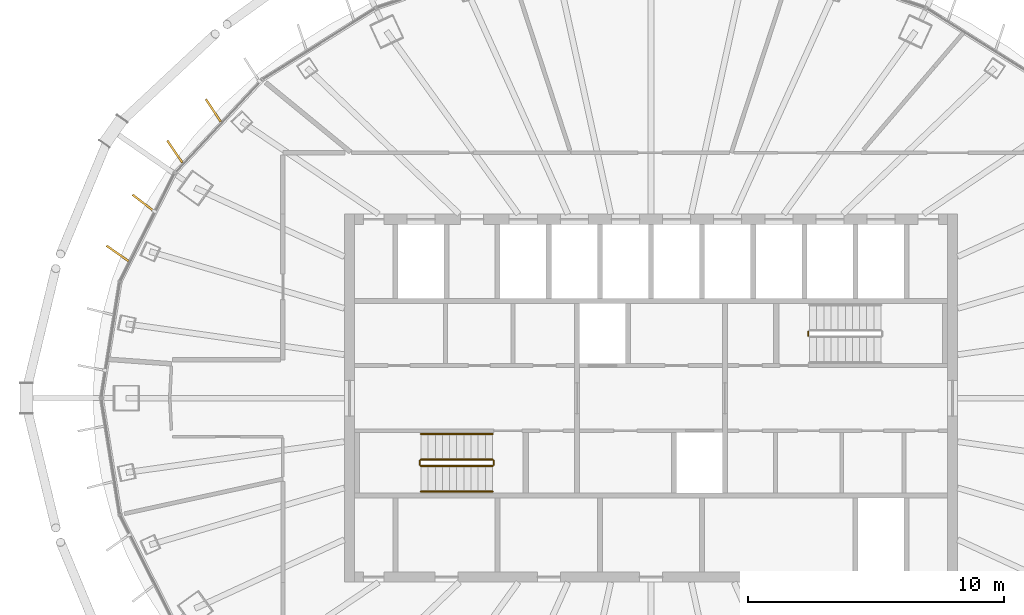
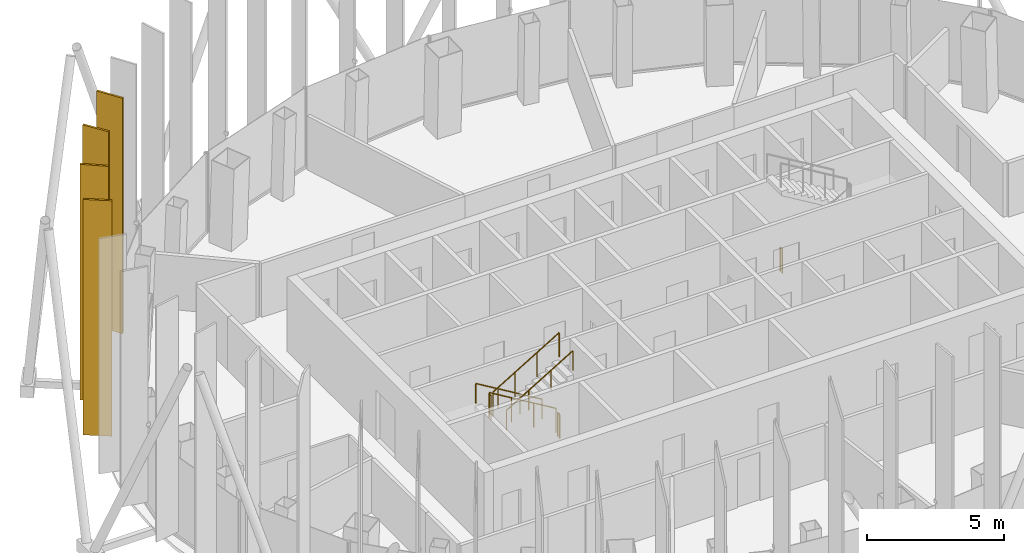
# One storey, part 18 of 20: 7 railings, 4 shading devices.
"""IFC4 building model written with IfcOpenShell, lengths in metres."""

from ifc_helpers import new_model, si_unit, direction, frame, origin, origin_2d, place, context, subcontext, project, spatial, rectangle, circle, extrude, material, layer, layer_set, type_object, element, save


model = new_model("IFC4")

# Units and contexts
model_context = context("Model", 3, precision=1e-05, world=origin(), true_north=direction((0.0, 1.0)))
body_context = subcontext(model_context, "Body", "Model", "MODEL_VIEW")
ifc_project = project(units=[si_unit("LENGTHUNIT", "METRE"), si_unit("AREAUNIT", "SQUARE_METRE"), si_unit("VOLUMEUNIT", "CUBIC_METRE"), si_unit("PLANEANGLEUNIT", "RADIAN"), si_unit("MASSUNIT", "GRAM", prefix="KILO")], contexts=[model_context])

# Site, building, storey
site_placement = place(None, origin())
site = spatial("IfcSite", under=ifc_project, at=site_placement, CompositionType="ELEMENT")
building_placement = place(site_placement, origin())
building = spatial("IfcBuilding", under=site, at=building_placement, Name="Siaravel Broadcast Tower", CompositionType="ELEMENT")
storey_placement = place(building_placement, frame((0.0, 0.0, 228.199951171875)))
storey = spatial("IfcBuildingStorey", under=building, at=storey_placement, Name="L55", CompositionType="ELEMENT", Elevation=228.199951171875)

# Shading devices
ifc_material_1 = material(Name="Bronze anodised aluminium", Category="aluminium")
ifc_layer = layer(ifc_material_1, 0.080078125)
ifc_layer_set = layer_set([ifc_layer], Name="Bronze anodised aluminium")
shading_device_type = type_object("IfcShadingDeviceType", Name="Bronze fin zone 4", PredefinedType="USERDEFINED", material=ifc_layer_set)
for number, where, z_axis, x_axis, name in (
    (1, (-17.12353515625, 11.256591796875, 0.300048828125), (0.0, 0.0, 1.0), (-0.548690177, 0.836025771, 0.0), "Bronze fin L55-23"),
    (2, (-18.632080078125, 9.649658203125, 0.300048828125), (0.0, 0.0, 1.0), (-0.564987165, 0.825099693, 0.0), "Bronze fin L55-24"),
    (3, (-19.86669921875, 7.64111328125, 0.300048828125), (0.0, 0.0, 1.0), (-0.793974483, 0.607951084, 0.0), "Bronze fin L55-25"),
    (4, (-20.8701171875, 5.664794921875, 0.300048828125), (0.0, 0.0, 1.0), (-0.819731251, 0.572748353, 0.0), "Bronze fin L55-26"),
):
    element("IfcShadingDevice", number, at=place(storey_placement, frame(where, z_axis=z_axis, x_axis=x_axis)), inside=storey, type_object=shading_device_type, Name=name, ObjectType="FIN", PredefinedType="USERDEFINED", context=body_context, shape_type="SweptSolid", body=[
        extrude(rectangle(XDim=1.050048828125, YDim=0.080078125, at=origin_2d()), origin(), (0.0, 0.0, 1.0), 10.5),
    ])

# Railings
ifc_material_2 = material(Name="Stainless steel 316L", Category="steel")
railing_type_1 = type_object("IfcRailingType", Name="Stair guard 1100", PredefinedType="GUARDRAIL", material=ifc_material_2)
railing_1_placement = place(storey_placement, frame((-6.199951171875, -2.39990234375, 0.168212890625)))
element("IfcRailing", 5, at=railing_1_placement, inside=storey, type_object=railing_type_1, Name="L55 ST-1 stair guard 1", PredefinedType="GUARDRAIL", context=body_context, shape_type="SweptSolid", body=[
    extrude(circle(Radius=0.02392578125, at=origin_2d()), frame((0.0, 0.0, 1.076171875), z_axis=(-0.857242211, 0.0, 0.514913383), x_axis=(0.0, -1.0, 0.0)), (0.0, 0.0, 1.0), 3.266357421875),
    extrude(circle(Radius=0.02099609375, at=origin_2d()), origin(), (0.0, 0.0, 1.0), 1.052001953125),
    extrude(circle(Radius=0.02099609375, at=origin_2d()), frame((-0.933349609375, 0.0, 0.560546875)), (0.0, 0.0, 1.0), 1.052001953125),
    extrude(circle(Radius=0.02099609375, at=origin_2d()), frame((-1.86669921875, 0.0, 1.121337890625)), (0.0, 0.0, 1.0), 1.052001953125),
    extrude(circle(Radius=0.02099609375, at=origin_2d()), frame((-2.800048828125, 0.0, 1.681884765625)), (0.0, 0.0, 1.0), 1.052001953125),
])
railing_2_placement = place(storey_placement, frame((-9.050048828125, -2.449951171875, 1.85009765625)))
element("IfcRailing", 6, at=railing_2_placement, inside=storey, type_object=railing_type_1, Name="L55 ST-1 stair guard 2", PredefinedType="GUARDRAIL", context=body_context, shape_type="SweptSolid", body=[
    extrude(circle(Radius=0.02392578125, at=origin_2d()), frame((0.0, 0.0, 1.076171875), z_axis=(0.0, -1.0, 0.0), x_axis=(1.0, 0.0, 0.0)), (0.0, 0.0, 1.0), 0.150146484375),
    extrude(circle(Radius=0.02099609375, at=origin_2d()), origin(), (0.0, 0.0, 1.0), 1.052001953125),
    extrude(circle(Radius=0.02099609375, at=origin_2d()), frame((0.0, -0.150146484375, 0.0)), (0.0, 0.0, 1.0), 1.052001953125),
])
railing_3_placement = place(storey_placement, frame((-9.0, -2.64990234375, 2.018310546875)))
element("IfcRailing", 7, at=railing_3_placement, inside=storey, type_object=railing_type_1, Name="L55 ST-1 stair guard 3", PredefinedType="GUARDRAIL", context=body_context, shape_type="SweptSolid", body=[
    extrude(circle(Radius=0.02392578125, at=origin_2d()), frame((0.0, 0.0, 1.076171875), z_axis=(0.857275203, 0.0, 0.514858453), x_axis=(0.0, 1.0, 0.0)), (0.0, 0.0, 1.0), 3.26611328125),
    extrude(circle(Radius=0.02099609375, at=origin_2d()), origin(), (0.0, 0.0, 1.0), 1.052001953125),
    extrude(circle(Radius=0.02099609375, at=origin_2d()), frame((0.933349609375, 0.0, 0.560546875)), (0.0, 0.0, 1.0), 1.052001953125),
    extrude(circle(Radius=0.02099609375, at=origin_2d()), frame((1.86669921875, 0.0, 1.12109375)), (0.0, 0.0, 1.0), 1.052001953125),
    extrude(circle(Radius=0.02099609375, at=origin_2d()), frame((2.800048828125, 0.0, 1.681640625)), (0.0, 0.0, 1.0), 1.052001953125),
])
railing_4_placement = place(storey_placement, frame((-6.14990234375, -2.449951171875, 0.0)))
element("IfcRailing", 8, at=railing_4_placement, inside=storey, type_object=railing_type_1, Name="L55 ST-1 stair guard 4", PredefinedType="GUARDRAIL", context=body_context, shape_type="SweptSolid", body=[
    extrude(circle(Radius=0.02392578125, at=origin_2d()), frame((0.0, 0.0, 1.076171875), z_axis=(0.0, -1.0, 0.0), x_axis=(1.0, 0.0, 0.0)), (0.0, 0.0, 1.0), 0.150146484375),
    extrude(circle(Radius=0.02099609375, at=origin_2d()), origin(), (0.0, 0.0, 1.0), 1.052001953125),
    extrude(circle(Radius=0.02099609375, at=origin_2d()), frame((0.0, -0.150146484375, 0.0)), (0.0, 0.0, 1.0), 1.052001953125),
])
railing_5_placement = place(storey_placement, frame((6.14990234375, 2.449951171875, 0.0)))
element("IfcRailing", 9, at=railing_5_placement, inside=storey, type_object=railing_type_1, Name="L55 ST-2 stair guard 4", PredefinedType="GUARDRAIL", context=body_context, shape_type="SweptSolid", body=[
    extrude(circle(Radius=0.02392578125, at=origin_2d()), frame((0.0, 0.0, 1.076171875), z_axis=(0.0, 1.0, 0.0), x_axis=(-1.0, 0.0, 0.0)), (0.0, 0.0, 1.0), 0.150146484375),
    extrude(circle(Radius=0.02099609375, at=origin_2d()), origin(), (0.0, 0.0, 1.0), 1.052001953125),
    extrude(circle(Radius=0.02099609375, at=origin_2d()), frame((0.0, 0.150146484375, 0.0)), (0.0, 0.0, 1.0), 1.052001953125),
])
railing_type_2 = type_object("IfcRailingType", Name="Stair handrail 900", PredefinedType="HANDRAIL", material=ifc_material_2)
railing_6_placement = place(storey_placement, frame((-6.199951171875, -1.39990234375, 0.168212890625)))
element("IfcRailing", 10, at=railing_6_placement, inside=storey, type_object=railing_type_2, Name="L55 ST-1 stair handrail 1", PredefinedType="HANDRAIL", context=body_context, shape_type="SweptSolid", body=[
    extrude(circle(Radius=0.02392578125, at=origin_2d()), frame((0.0, 0.0, 0.8759765625), z_axis=(-0.857242211, 0.0, 0.514913383), x_axis=(0.0, -1.0, 0.0)), (0.0, 0.0, 1.0), 3.266357421875),
    extrude(circle(Radius=0.02099609375, at=origin_2d()), origin(), (0.0, 0.0, 1.0), 0.851806640625),
    extrude(circle(Radius=0.02099609375, at=origin_2d()), frame((-0.933349609375, 0.0, 0.560546875)), (0.0, 0.0, 1.0), 0.851806640625),
    extrude(circle(Radius=0.02099609375, at=origin_2d()), frame((-1.86669921875, 0.0, 1.121337890625)), (0.0, 0.0, 1.0), 0.851806640625),
    extrude(circle(Radius=0.02099609375, at=origin_2d()), frame((-2.800048828125, 0.0, 1.681884765625)), (0.0, 0.0, 1.0), 0.851806640625),
])
railing_7_placement = place(storey_placement, frame((-9.0, -3.64990234375, 2.018310546875)))
element("IfcRailing", 11, at=railing_7_placement, inside=storey, type_object=railing_type_2, Name="L55 ST-1 stair handrail 2", PredefinedType="HANDRAIL", context=body_context, shape_type="SweptSolid", body=[
    extrude(circle(Radius=0.02392578125, at=origin_2d()), frame((0.0, 0.0, 0.8759765625), z_axis=(0.857275203, 0.0, 0.514858453), x_axis=(0.0, 1.0, 0.0)), (0.0, 0.0, 1.0), 3.26611328125),
    extrude(circle(Radius=0.02099609375, at=origin_2d()), origin(), (0.0, 0.0, 1.0), 0.851806640625),
    extrude(circle(Radius=0.02099609375, at=origin_2d()), frame((0.933349609375, 0.0, 0.560546875)), (0.0, 0.0, 1.0), 0.851806640625),
    extrude(circle(Radius=0.02099609375, at=origin_2d()), frame((1.86669921875, 0.0, 1.12109375)), (0.0, 0.0, 1.0), 0.851806640625),
    extrude(circle(Radius=0.02099609375, at=origin_2d()), frame((2.800048828125, 0.0, 1.681640625)), (0.0, 0.0, 1.0), 0.851806640625),
])

save(model, "model.ifc")
